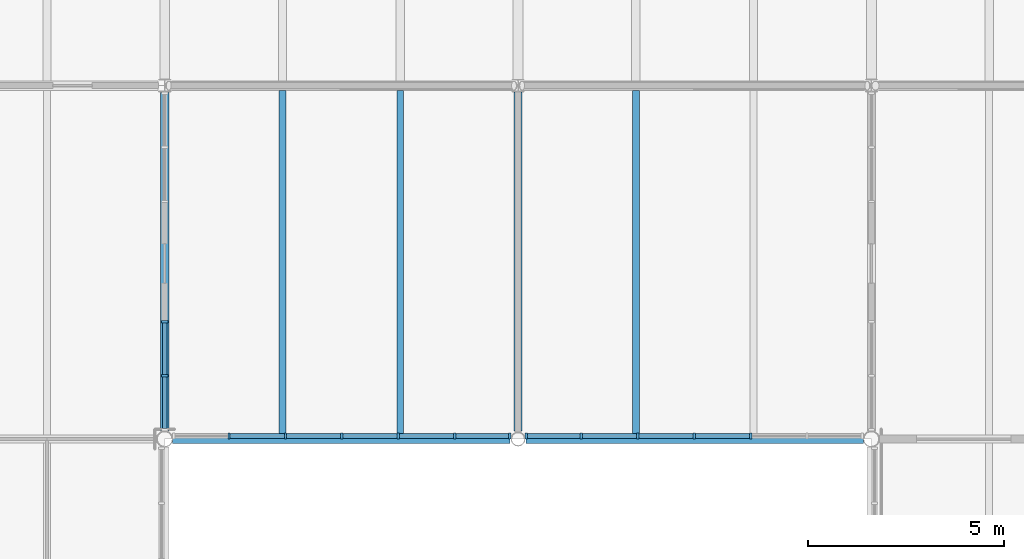
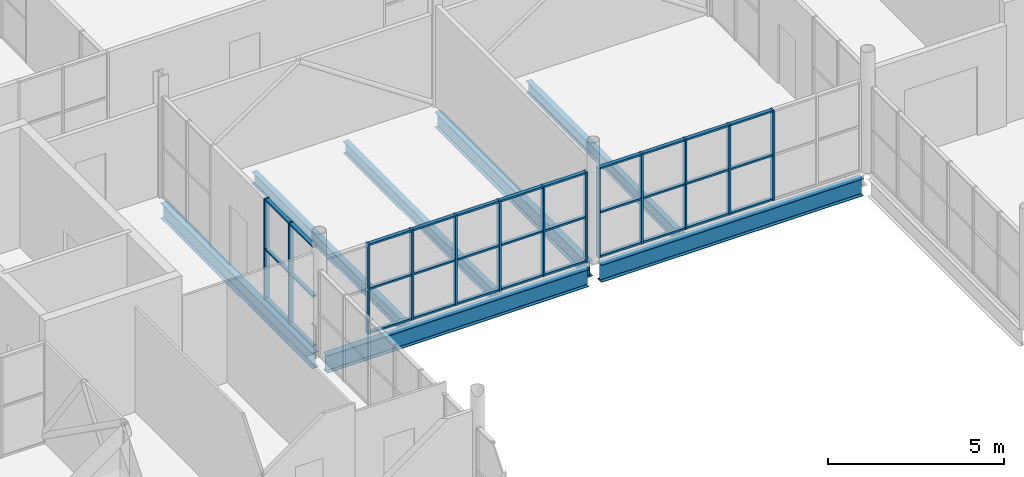
# One storey, part 17 of 57: 46 members, 7 beams, 3 elements without a shape of their own.
"""IFC4 building model written with IfcOpenShell, lengths in metres."""

from ifc_helpers import new_model, si_unit, direction, frame, origin, origin_2d, place, context, subcontext, project, spatial, rectangle, i_section, extrude, material, layer, layer_set, material_profile, profile_set, type_object, element, aggregate, save


model = new_model("IFC4")

# Units and contexts
model_context = context("Model", 3, precision=1e-05, world=origin(), true_north=direction((0.0, 1.0)))
body_context = subcontext(model_context, "Body", "Model", "MODEL_VIEW")
ifc_project = project(units=[si_unit("LENGTHUNIT", "METRE"), si_unit("AREAUNIT", "SQUARE_METRE"), si_unit("VOLUMEUNIT", "CUBIC_METRE"), si_unit("PLANEANGLEUNIT", "RADIAN"), si_unit("MASSUNIT", "GRAM", prefix="KILO")], contexts=[model_context])

# Site, building, storey
site_placement = place(None, origin())
site = spatial("IfcSite", under=ifc_project, at=site_placement, CompositionType="ELEMENT")
building_placement = place(site_placement, origin())
building = spatial("IfcBuilding", under=site, at=building_placement, Name="Halyard Row Museum", CompositionType="ELEMENT")
storey_placement = place(building_placement, frame((0.0, 0.0, 5.0)))
storey = spatial("IfcBuildingStorey", under=building, at=storey_placement, Name="L01", CompositionType="ELEMENT", Elevation=5.0)

# Curtain wall, members
ifc_material_1 = material(Name="Fire-resisting laminated glazing", Category="glass")
ifc_layer = layer(ifc_material_1, 0.159912109375)
ifc_layer_set = layer_set([ifc_layer], Name="Fire-resisting laminated glazing")
curtain_wall_type = type_object("IfcCurtainWallType", Name="Curtain wall atrium screen 160 deep", PredefinedType="NOTDEFINED", material=ifc_layer_set)
curtain_wall_1_placement = place(storey_placement, origin())
curtain_wall_1 = element("IfcCurtainWall", 1, at=curtain_wall_1_placement, inside=storey, type_object=curtain_wall_type, Name="Curtain wall CW080", PredefinedType="NOTDEFINED")
ifc_material_2 = material(Name="Powder-coated aluminium section", Category="aluminium")
ifc_material_profile_1 = material_profile(ifc_material_2, rectangle(XDim=0.159912109375, YDim=0.06005859375, at=origin_2d()), Name="160x60 mullion")
ifc_profile_set_1 = profile_set([ifc_material_profile_1], Name="Powder-coated aluminium section")
member_type_1 = type_object("IfcMemberType", Name="Curtain wall mullion CM5 60 x 160", PredefinedType="MULLION", material=ifc_profile_set_1)
member_1_placement = place(storey_placement, frame((95.923828125, 27.080078125, 0.0), z_axis=(0.0, 0.0, 1.0), x_axis=(0.0, -1.0, 0.0)))
member_1 = element("IfcMember", 2, at=member_1_placement, type_object=member_type_1, Name="CW080 mullion 3", PredefinedType="MULLION", context=body_context, shape_type="SweptSolid", body=[
    extrude(rectangle(XDim=0.159912109375, YDim=0.06005859375, at=origin_2d()), origin(), (0.0, 0.0, 1.0), 3.12451171875),
])
member_2_placement = place(storey_placement, frame((94.4873046875, 27.080078125, 0.0), z_axis=(0.0, 0.0, 1.0), x_axis=(0.0, -1.0, 0.0)))
member_2 = element("IfcMember", 3, at=member_2_placement, type_object=member_type_1, Name="CW080 mullion 4", PredefinedType="MULLION", context=body_context, shape_type="SweptSolid", body=[
    extrude(rectangle(XDim=0.159912109375, YDim=0.06005859375, at=origin_2d()), origin(), (0.0, 0.0, 1.0), 3.12451171875),
])
member_3_placement = place(storey_placement, frame((93.05078125, 27.080078125, 0.0), z_axis=(0.0, 0.0, 1.0), x_axis=(0.0, -1.0, 0.0)))
member_3 = element("IfcMember", 4, at=member_3_placement, type_object=member_type_1, Name="CW080 mullion 5", PredefinedType="MULLION", context=body_context, shape_type="SweptSolid", body=[
    extrude(rectangle(XDim=0.159912109375, YDim=0.06005859375, at=origin_2d()), origin(), (0.0, 0.0, 1.0), 3.12451171875),
])
member_4_placement = place(storey_placement, frame((91.6142578125, 27.080078125, 0.0), z_axis=(0.0, 0.0, 1.0), x_axis=(0.0, -1.0, 0.0)))
member_4 = element("IfcMember", 5, at=member_4_placement, type_object=member_type_1, Name="CW080 mullion 6", PredefinedType="MULLION", context=body_context, shape_type="SweptSolid", body=[
    extrude(rectangle(XDim=0.159912109375, YDim=0.06005859375, at=origin_2d()), origin(), (0.0, 0.0, 1.0), 3.12451171875),
])
member_5_placement = place(storey_placement, frame((90.207763671875, 27.080078125, 0.0), z_axis=(0.0, 0.0, 1.0), x_axis=(0.0, -1.0, 0.0)))
member_5 = element("IfcMember", 6, at=member_5_placement, type_object=member_type_1, Name="CW080 mullion 7", PredefinedType="MULLION", context=body_context, shape_type="SweptSolid", body=[
    extrude(rectangle(XDim=0.159912109375, YDim=0.06005859375, at=origin_2d()), origin(), (0.0, 0.0, 1.0), 3.12451171875),
])

curtain_wall_2_placement = place(storey_placement, origin())
curtain_wall_2 = element("IfcCurtainWall", 7, at=curtain_wall_2_placement, inside=storey, type_object=curtain_wall_type, Name="Curtain wall CW081", PredefinedType="NOTDEFINED")
member_6_placement = place(storey_placement, frame((89.792236328125, 27.080078125, 0.0), z_axis=(0.0, 0.0, 1.0), x_axis=(0.0, -1.0, 0.0)))
member_6 = element("IfcMember", 8, at=member_6_placement, type_object=member_type_1, Name="CW081 mullion 1", PredefinedType="MULLION", context=body_context, shape_type="SweptSolid", body=[
    extrude(rectangle(XDim=0.159912109375, YDim=0.06005859375, at=origin_2d()), origin(), (0.0, 0.0, 1.0), 3.12451171875),
])
member_7_placement = place(storey_placement, frame((88.3857421875, 27.080078125, 0.0), z_axis=(0.0, 0.0, 1.0), x_axis=(0.0, -1.0, 0.0)))
member_7 = element("IfcMember", 9, at=member_7_placement, type_object=member_type_1, Name="CW081 mullion 2", PredefinedType="MULLION", context=body_context, shape_type="SweptSolid", body=[
    extrude(rectangle(XDim=0.159912109375, YDim=0.06005859375, at=origin_2d()), origin(), (0.0, 0.0, 1.0), 3.12451171875),
])
member_8_placement = place(storey_placement, frame((86.94921875, 27.080078125, 0.0), z_axis=(0.0, 0.0, 1.0), x_axis=(0.0, -1.0, 0.0)))
member_8 = element("IfcMember", 10, at=member_8_placement, type_object=member_type_1, Name="CW081 mullion 3", PredefinedType="MULLION", context=body_context, shape_type="SweptSolid", body=[
    extrude(rectangle(XDim=0.159912109375, YDim=0.06005859375, at=origin_2d()), origin(), (0.0, 0.0, 1.0), 3.12451171875),
])
member_9_placement = place(storey_placement, frame((85.5126953125, 27.080078125, 0.0), z_axis=(0.0, 0.0, 1.0), x_axis=(0.0, -1.0, 0.0)))
member_9 = element("IfcMember", 11, at=member_9_placement, type_object=member_type_1, Name="CW081 mullion 4", PredefinedType="MULLION", context=body_context, shape_type="SweptSolid", body=[
    extrude(rectangle(XDim=0.159912109375, YDim=0.06005859375, at=origin_2d()), origin(), (0.0, 0.0, 1.0), 3.12451171875),
])
member_10_placement = place(storey_placement, frame((84.076171875, 27.080078125, 0.0), z_axis=(0.0, 0.0, 1.0), x_axis=(0.0, -1.0, 0.0)))
member_10 = element("IfcMember", 12, at=member_10_placement, type_object=member_type_1, Name="CW081 mullion 5", PredefinedType="MULLION", context=body_context, shape_type="SweptSolid", body=[
    extrude(rectangle(XDim=0.159912109375, YDim=0.06005859375, at=origin_2d()), origin(), (0.0, 0.0, 1.0), 3.12451171875),
])
member_11_placement = place(storey_placement, frame((82.6396484375, 27.080078125, 0.0), z_axis=(0.0, 0.0, 1.0), x_axis=(0.0, -1.0, 0.0)))
member_11 = element("IfcMember", 13, at=member_11_placement, type_object=member_type_1, Name="CW081 mullion 6", PredefinedType="MULLION", context=body_context, shape_type="SweptSolid", body=[
    extrude(rectangle(XDim=0.159912109375, YDim=0.06005859375, at=origin_2d()), origin(), (0.0, 0.0, 1.0), 3.12451171875),
])

curtain_wall_3_placement = place(storey_placement, origin())
curtain_wall_3 = element("IfcCurtainWall", 14, at=curtain_wall_3_placement, inside=storey, type_object=curtain_wall_type, Name="Curtain wall CW144", PredefinedType="NOTDEFINED")
member_12_placement = place(storey_placement, frame((81.0, 28.611572265625, 0.0), z_axis=(0.0, 0.0, 1.0), x_axis=(-1.0, 0.0, 0.0)))
member_12 = element("IfcMember", 15, at=member_12_placement, type_object=member_type_1, Name="CW144 mullion 2", PredefinedType="MULLION", context=body_context, shape_type="SweptSolid", body=[
    extrude(rectangle(XDim=0.159912109375, YDim=0.06005859375, at=origin_2d()), origin(), (0.0, 0.0, 1.0), 3.501953125),
])
member_13_placement = place(storey_placement, frame((81.0, 29.98974609375, 0.0), z_axis=(0.0, 0.0, 1.0), x_axis=(-1.0, 0.0, 0.0)))
member_13 = element("IfcMember", 16, at=member_13_placement, type_object=member_type_1, Name="CW144 mullion 3", PredefinedType="MULLION", context=body_context, shape_type="SweptSolid", body=[
    extrude(rectangle(XDim=0.159912109375, YDim=0.06005859375, at=origin_2d()), origin(), (0.0, 0.0, 1.0), 3.501953125),
])

# Member
ifc_material_3 = material(Name="Powder-coated aluminium section", Category="aluminium")
ifc_material_profile_2 = material_profile(ifc_material_3, rectangle(XDim=0.1201171875, YDim=0.06005859375, at=origin_2d()), Name="120x60 transom")
ifc_profile_set_2 = profile_set([ifc_material_profile_2], Name="Powder-coated aluminium section")
member_type_2 = type_object("IfcMemberType", Name="Curtain wall transom CT5 60 x 120", PredefinedType="USERDEFINED", material=ifc_profile_set_2)
member_14_placement = place(storey_placement, frame((95.893798828125, 27.080078125, 0.030029296875), z_axis=(-1.0, 0.0, 0.0), x_axis=(0.0, -1.0, 0.0)))
member_14 = element("IfcMember", 17, at=member_14_placement, type_object=member_type_2, Name="CW080 transom 3.1", ObjectType="TRANSOM", PredefinedType="USERDEFINED", context=body_context, shape_type="SweptSolid", body=[
    extrude(rectangle(XDim=0.1201171875, YDim=0.06005859375, at=origin_2d()), origin(), (0.0, 0.0, 1.0), 1.37646484375),
])

member_15_placement = place(storey_placement, frame((95.893798828125, 27.080078125, 1.562255859375), z_axis=(-1.0, 0.0, 0.0), x_axis=(0.0, -1.0, 0.0)))
member_15 = element("IfcMember", 18, at=member_15_placement, type_object=member_type_2, Name="CW080 transom 3.2", ObjectType="TRANSOM", PredefinedType="USERDEFINED", context=body_context, shape_type="SweptSolid", body=[
    extrude(rectangle(XDim=0.1201171875, YDim=0.06005859375, at=origin_2d()), origin(), (0.0, 0.0, 1.0), 1.37646484375),
])

member_16_placement = place(storey_placement, frame((95.893798828125, 27.080078125, 3.094482421875), z_axis=(-1.0, 0.0, 0.0), x_axis=(0.0, -1.0, 0.0)))
member_16 = element("IfcMember", 19, at=member_16_placement, type_object=member_type_2, Name="CW080 transom 3.3", ObjectType="TRANSOM", PredefinedType="USERDEFINED", context=body_context, shape_type="SweptSolid", body=[
    extrude(rectangle(XDim=0.1201171875, YDim=0.06005859375, at=origin_2d()), origin(), (0.0, 0.0, 1.0), 1.37646484375),
])

member_17_placement = place(storey_placement, frame((94.457275390625, 27.080078125, 0.030029296875), z_axis=(-1.0, 0.0, 0.0), x_axis=(0.0, -1.0, 0.0)))
member_17 = element("IfcMember", 20, at=member_17_placement, type_object=member_type_2, Name="CW080 transom 4.1", ObjectType="TRANSOM", PredefinedType="USERDEFINED", context=body_context, shape_type="SweptSolid", body=[
    extrude(rectangle(XDim=0.1201171875, YDim=0.06005859375, at=origin_2d()), origin(), (0.0, 0.0, 1.0), 1.37646484375),
])

member_18_placement = place(storey_placement, frame((94.457275390625, 27.080078125, 1.562255859375), z_axis=(-1.0, 0.0, 0.0), x_axis=(0.0, -1.0, 0.0)))
member_18 = element("IfcMember", 21, at=member_18_placement, type_object=member_type_2, Name="CW080 transom 4.2", ObjectType="TRANSOM", PredefinedType="USERDEFINED", context=body_context, shape_type="SweptSolid", body=[
    extrude(rectangle(XDim=0.1201171875, YDim=0.06005859375, at=origin_2d()), origin(), (0.0, 0.0, 1.0), 1.37646484375),
])

member_19_placement = place(storey_placement, frame((94.457275390625, 27.080078125, 3.094482421875), z_axis=(-1.0, 0.0, 0.0), x_axis=(0.0, -1.0, 0.0)))
member_19 = element("IfcMember", 22, at=member_19_placement, type_object=member_type_2, Name="CW080 transom 4.3", ObjectType="TRANSOM", PredefinedType="USERDEFINED", context=body_context, shape_type="SweptSolid", body=[
    extrude(rectangle(XDim=0.1201171875, YDim=0.06005859375, at=origin_2d()), origin(), (0.0, 0.0, 1.0), 1.37646484375),
])

member_20_placement = place(storey_placement, frame((93.020751953125, 27.080078125, 0.030029296875), z_axis=(-1.0, 0.0, 0.0), x_axis=(0.0, -1.0, 0.0)))
member_20 = element("IfcMember", 23, at=member_20_placement, type_object=member_type_2, Name="CW080 transom 5.1", ObjectType="TRANSOM", PredefinedType="USERDEFINED", context=body_context, shape_type="SweptSolid", body=[
    extrude(rectangle(XDim=0.1201171875, YDim=0.06005859375, at=origin_2d()), origin(), (0.0, 0.0, 1.0), 1.37646484375),
])

member_21_placement = place(storey_placement, frame((93.020751953125, 27.080078125, 1.562255859375), z_axis=(-1.0, 0.0, 0.0), x_axis=(0.0, -1.0, 0.0)))
member_21 = element("IfcMember", 24, at=member_21_placement, type_object=member_type_2, Name="CW080 transom 5.2", ObjectType="TRANSOM", PredefinedType="USERDEFINED", context=body_context, shape_type="SweptSolid", body=[
    extrude(rectangle(XDim=0.1201171875, YDim=0.06005859375, at=origin_2d()), origin(), (0.0, 0.0, 1.0), 1.37646484375),
])

member_22_placement = place(storey_placement, frame((93.020751953125, 27.080078125, 3.094482421875), z_axis=(-1.0, 0.0, 0.0), x_axis=(0.0, -1.0, 0.0)))
member_22 = element("IfcMember", 25, at=member_22_placement, type_object=member_type_2, Name="CW080 transom 5.3", ObjectType="TRANSOM", PredefinedType="USERDEFINED", context=body_context, shape_type="SweptSolid", body=[
    extrude(rectangle(XDim=0.1201171875, YDim=0.06005859375, at=origin_2d()), origin(), (0.0, 0.0, 1.0), 1.37646484375),
])

member_23_placement = place(storey_placement, frame((91.584228515625, 27.080078125, 0.030029296875), z_axis=(-1.0, 0.0, 0.0), x_axis=(0.0, -1.0, 0.0)))
member_23 = element("IfcMember", 26, at=member_23_placement, type_object=member_type_2, Name="CW080 transom 6.1", ObjectType="TRANSOM", PredefinedType="USERDEFINED", context=body_context, shape_type="SweptSolid", body=[
    extrude(rectangle(XDim=0.1201171875, YDim=0.06005859375, at=origin_2d()), origin(), (0.0, 0.0, 1.0), 1.346435546875),
])

member_24_placement = place(storey_placement, frame((91.584228515625, 27.080078125, 1.562255859375), z_axis=(-1.0, 0.0, 0.0), x_axis=(0.0, -1.0, 0.0)))
member_24 = element("IfcMember", 27, at=member_24_placement, type_object=member_type_2, Name="CW080 transom 6.2", ObjectType="TRANSOM", PredefinedType="USERDEFINED", context=body_context, shape_type="SweptSolid", body=[
    extrude(rectangle(XDim=0.1201171875, YDim=0.06005859375, at=origin_2d()), origin(), (0.0, 0.0, 1.0), 1.346435546875),
])

member_25_placement = place(storey_placement, frame((91.584228515625, 27.080078125, 3.094482421875), z_axis=(-1.0, 0.0, 0.0), x_axis=(0.0, -1.0, 0.0)))
member_25 = element("IfcMember", 28, at=member_25_placement, type_object=member_type_2, Name="CW080 transom 6.3", ObjectType="TRANSOM", PredefinedType="USERDEFINED", context=body_context, shape_type="SweptSolid", body=[
    extrude(rectangle(XDim=0.1201171875, YDim=0.06005859375, at=origin_2d()), origin(), (0.0, 0.0, 1.0), 1.346435546875),
])

aggregate(curtain_wall_1, [member_1, member_2, member_3, member_4, member_5, member_14, member_15, member_16, member_17, member_18, member_19, member_20, member_21, member_22, member_23, member_24, member_25])

member_26_placement = place(storey_placement, frame((89.76220703125, 27.080078125, 0.030029296875), z_axis=(-1.0, 0.0, 0.0), x_axis=(0.0, -1.0, 0.0)))
member_26 = element("IfcMember", 29, at=member_26_placement, type_object=member_type_2, Name="CW081 transom 1.1", ObjectType="TRANSOM", PredefinedType="USERDEFINED", context=body_context, shape_type="SweptSolid", body=[
    extrude(rectangle(XDim=0.1201171875, YDim=0.06005859375, at=origin_2d()), origin(), (0.0, 0.0, 1.0), 1.346435546875),
])

member_27_placement = place(storey_placement, frame((89.76220703125, 27.080078125, 1.562255859375), z_axis=(-1.0, 0.0, 0.0), x_axis=(0.0, -1.0, 0.0)))
member_27 = element("IfcMember", 30, at=member_27_placement, type_object=member_type_2, Name="CW081 transom 1.2", ObjectType="TRANSOM", PredefinedType="USERDEFINED", context=body_context, shape_type="SweptSolid", body=[
    extrude(rectangle(XDim=0.1201171875, YDim=0.06005859375, at=origin_2d()), origin(), (0.0, 0.0, 1.0), 1.346435546875),
])

member_28_placement = place(storey_placement, frame((89.76220703125, 27.080078125, 3.094482421875), z_axis=(-1.0, 0.0, 0.0), x_axis=(0.0, -1.0, 0.0)))
member_28 = element("IfcMember", 31, at=member_28_placement, type_object=member_type_2, Name="CW081 transom 1.3", ObjectType="TRANSOM", PredefinedType="USERDEFINED", context=body_context, shape_type="SweptSolid", body=[
    extrude(rectangle(XDim=0.1201171875, YDim=0.06005859375, at=origin_2d()), origin(), (0.0, 0.0, 1.0), 1.346435546875),
])

member_29_placement = place(storey_placement, frame((88.355712890625, 27.080078125, 0.030029296875), z_axis=(-1.0, 0.0, 0.0), x_axis=(0.0, -1.0, 0.0)))
member_29 = element("IfcMember", 32, at=member_29_placement, type_object=member_type_2, Name="CW081 transom 2.1", ObjectType="TRANSOM", PredefinedType="USERDEFINED", context=body_context, shape_type="SweptSolid", body=[
    extrude(rectangle(XDim=0.1201171875, YDim=0.06005859375, at=origin_2d()), origin(), (0.0, 0.0, 1.0), 1.37646484375),
])

member_30_placement = place(storey_placement, frame((88.355712890625, 27.080078125, 1.562255859375), z_axis=(-1.0, 0.0, 0.0), x_axis=(0.0, -1.0, 0.0)))
member_30 = element("IfcMember", 33, at=member_30_placement, type_object=member_type_2, Name="CW081 transom 2.2", ObjectType="TRANSOM", PredefinedType="USERDEFINED", context=body_context, shape_type="SweptSolid", body=[
    extrude(rectangle(XDim=0.1201171875, YDim=0.06005859375, at=origin_2d()), origin(), (0.0, 0.0, 1.0), 1.37646484375),
])

member_31_placement = place(storey_placement, frame((88.355712890625, 27.080078125, 3.094482421875), z_axis=(-1.0, 0.0, 0.0), x_axis=(0.0, -1.0, 0.0)))
member_31 = element("IfcMember", 34, at=member_31_placement, type_object=member_type_2, Name="CW081 transom 2.3", ObjectType="TRANSOM", PredefinedType="USERDEFINED", context=body_context, shape_type="SweptSolid", body=[
    extrude(rectangle(XDim=0.1201171875, YDim=0.06005859375, at=origin_2d()), origin(), (0.0, 0.0, 1.0), 1.37646484375),
])

member_32_placement = place(storey_placement, frame((86.919189453125, 27.080078125, 0.030029296875), z_axis=(-1.0, 0.0, 0.0), x_axis=(0.0, -1.0, 0.0)))
member_32 = element("IfcMember", 35, at=member_32_placement, type_object=member_type_2, Name="CW081 transom 3.1", ObjectType="TRANSOM", PredefinedType="USERDEFINED", context=body_context, shape_type="SweptSolid", body=[
    extrude(rectangle(XDim=0.1201171875, YDim=0.06005859375, at=origin_2d()), origin(), (0.0, 0.0, 1.0), 1.37646484375),
])

member_33_placement = place(storey_placement, frame((86.919189453125, 27.080078125, 1.562255859375), z_axis=(-1.0, 0.0, 0.0), x_axis=(0.0, -1.0, 0.0)))
member_33 = element("IfcMember", 36, at=member_33_placement, type_object=member_type_2, Name="CW081 transom 3.2", ObjectType="TRANSOM", PredefinedType="USERDEFINED", context=body_context, shape_type="SweptSolid", body=[
    extrude(rectangle(XDim=0.1201171875, YDim=0.06005859375, at=origin_2d()), origin(), (0.0, 0.0, 1.0), 1.37646484375),
])

member_34_placement = place(storey_placement, frame((86.919189453125, 27.080078125, 3.094482421875), z_axis=(-1.0, 0.0, 0.0), x_axis=(0.0, -1.0, 0.0)))
member_34 = element("IfcMember", 37, at=member_34_placement, type_object=member_type_2, Name="CW081 transom 3.3", ObjectType="TRANSOM", PredefinedType="USERDEFINED", context=body_context, shape_type="SweptSolid", body=[
    extrude(rectangle(XDim=0.1201171875, YDim=0.06005859375, at=origin_2d()), origin(), (0.0, 0.0, 1.0), 1.37646484375),
])

member_35_placement = place(storey_placement, frame((85.482666015625, 27.080078125, 0.030029296875), z_axis=(-1.0, 0.0, 0.0), x_axis=(0.0, -1.0, 0.0)))
member_35 = element("IfcMember", 38, at=member_35_placement, type_object=member_type_2, Name="CW081 transom 4.1", ObjectType="TRANSOM", PredefinedType="USERDEFINED", context=body_context, shape_type="SweptSolid", body=[
    extrude(rectangle(XDim=0.1201171875, YDim=0.06005859375, at=origin_2d()), origin(), (0.0, 0.0, 1.0), 1.37646484375),
])

member_36_placement = place(storey_placement, frame((85.482666015625, 27.080078125, 1.562255859375), z_axis=(-1.0, 0.0, 0.0), x_axis=(0.0, -1.0, 0.0)))
member_36 = element("IfcMember", 39, at=member_36_placement, type_object=member_type_2, Name="CW081 transom 4.2", ObjectType="TRANSOM", PredefinedType="USERDEFINED", context=body_context, shape_type="SweptSolid", body=[
    extrude(rectangle(XDim=0.1201171875, YDim=0.06005859375, at=origin_2d()), origin(), (0.0, 0.0, 1.0), 1.37646484375),
])

member_37_placement = place(storey_placement, frame((85.482666015625, 27.080078125, 3.094482421875), z_axis=(-1.0, 0.0, 0.0), x_axis=(0.0, -1.0, 0.0)))
member_37 = element("IfcMember", 40, at=member_37_placement, type_object=member_type_2, Name="CW081 transom 4.3", ObjectType="TRANSOM", PredefinedType="USERDEFINED", context=body_context, shape_type="SweptSolid", body=[
    extrude(rectangle(XDim=0.1201171875, YDim=0.06005859375, at=origin_2d()), origin(), (0.0, 0.0, 1.0), 1.37646484375),
])

member_38_placement = place(storey_placement, frame((84.046142578125, 27.080078125, 0.030029296875), z_axis=(-1.0, 0.0, 0.0), x_axis=(0.0, -1.0, 0.0)))
member_38 = element("IfcMember", 41, at=member_38_placement, type_object=member_type_2, Name="CW081 transom 5.1", ObjectType="TRANSOM", PredefinedType="USERDEFINED", context=body_context, shape_type="SweptSolid", body=[
    extrude(rectangle(XDim=0.1201171875, YDim=0.06005859375, at=origin_2d()), origin(), (0.0, 0.0, 1.0), 1.37646484375),
])

member_39_placement = place(storey_placement, frame((84.046142578125, 27.080078125, 1.562255859375), z_axis=(-1.0, 0.0, 0.0), x_axis=(0.0, -1.0, 0.0)))
member_39 = element("IfcMember", 42, at=member_39_placement, type_object=member_type_2, Name="CW081 transom 5.2", ObjectType="TRANSOM", PredefinedType="USERDEFINED", context=body_context, shape_type="SweptSolid", body=[
    extrude(rectangle(XDim=0.1201171875, YDim=0.06005859375, at=origin_2d()), origin(), (0.0, 0.0, 1.0), 1.37646484375),
])

member_40_placement = place(storey_placement, frame((84.046142578125, 27.080078125, 3.094482421875), z_axis=(-1.0, 0.0, 0.0), x_axis=(0.0, -1.0, 0.0)))
member_40 = element("IfcMember", 43, at=member_40_placement, type_object=member_type_2, Name="CW081 transom 5.3", ObjectType="TRANSOM", PredefinedType="USERDEFINED", context=body_context, shape_type="SweptSolid", body=[
    extrude(rectangle(XDim=0.1201171875, YDim=0.06005859375, at=origin_2d()), origin(), (0.0, 0.0, 1.0), 1.37646484375),
])

aggregate(curtain_wall_2, [member_6, member_7, member_8, member_9, member_10, member_11, member_26, member_27, member_28, member_29, member_30, member_31, member_32, member_33, member_34, member_35, member_36, member_37, member_38, member_39, member_40])

member_41_placement = place(storey_placement, frame((81.0, 27.26318359375, 0.030029296875), z_axis=(0.0, 1.0, 0.0), x_axis=(-1.0, 0.0, 0.0)))
member_41 = element("IfcMember", 44, at=member_41_placement, type_object=member_type_2, Name="CW144 transom 1.1", ObjectType="TRANSOM", PredefinedType="USERDEFINED", context=body_context, shape_type="SweptSolid", body=[
    extrude(rectangle(XDim=0.1201171875, YDim=0.06005859375, at=origin_2d()), origin(), (0.0, 0.0, 1.0), 1.318359375),
])

member_42_placement = place(storey_placement, frame((81.0, 27.26318359375, 1.7509765625), z_axis=(0.0, 1.0, 0.0), x_axis=(-1.0, 0.0, 0.0)))
member_42 = element("IfcMember", 45, at=member_42_placement, type_object=member_type_2, Name="CW144 transom 1.2", ObjectType="TRANSOM", PredefinedType="USERDEFINED", context=body_context, shape_type="SweptSolid", body=[
    extrude(rectangle(XDim=0.1201171875, YDim=0.06005859375, at=origin_2d()), origin(), (0.0, 0.0, 1.0), 1.318359375),
])

member_43_placement = place(storey_placement, frame((81.0, 27.26318359375, 3.471923828125), z_axis=(0.0, 1.0, 0.0), x_axis=(-1.0, 0.0, 0.0)))
member_43 = element("IfcMember", 46, at=member_43_placement, type_object=member_type_2, Name="CW144 transom 1.3", ObjectType="TRANSOM", PredefinedType="USERDEFINED", context=body_context, shape_type="SweptSolid", body=[
    extrude(rectangle(XDim=0.1201171875, YDim=0.06005859375, at=origin_2d()), origin(), (0.0, 0.0, 1.0), 1.318359375),
])

member_44_placement = place(storey_placement, frame((81.0, 28.6416015625, 0.030029296875), z_axis=(0.0, 1.0, 0.0), x_axis=(-1.0, 0.0, 0.0)))
member_44 = element("IfcMember", 47, at=member_44_placement, type_object=member_type_2, Name="CW144 transom 2.1", ObjectType="TRANSOM", PredefinedType="USERDEFINED", context=body_context, shape_type="SweptSolid", body=[
    extrude(rectangle(XDim=0.1201171875, YDim=0.06005859375, at=origin_2d()), origin(), (0.0, 0.0, 1.0), 1.318115234375),
])

member_45_placement = place(storey_placement, frame((81.0, 28.6416015625, 1.7509765625), z_axis=(0.0, 1.0, 0.0), x_axis=(-1.0, 0.0, 0.0)))
member_45 = element("IfcMember", 48, at=member_45_placement, type_object=member_type_2, Name="CW144 transom 2.2", ObjectType="TRANSOM", PredefinedType="USERDEFINED", context=body_context, shape_type="SweptSolid", body=[
    extrude(rectangle(XDim=0.1201171875, YDim=0.06005859375, at=origin_2d()), origin(), (0.0, 0.0, 1.0), 1.318115234375),
])

member_46_placement = place(storey_placement, frame((81.0, 28.6416015625, 3.471923828125), z_axis=(0.0, 1.0, 0.0), x_axis=(-1.0, 0.0, 0.0)))
member_46 = element("IfcMember", 49, at=member_46_placement, type_object=member_type_2, Name="CW144 transom 2.3", ObjectType="TRANSOM", PredefinedType="USERDEFINED", context=body_context, shape_type="SweptSolid", body=[
    extrude(rectangle(XDim=0.1201171875, YDim=0.06005859375, at=origin_2d()), origin(), (0.0, 0.0, 1.0), 1.318115234375),
])

aggregate(curtain_wall_3, [member_12, member_13, member_41, member_42, member_43, member_44, member_45, member_46])

# Beams
ifc_material_4 = material(Name="Steel Grade 300", Category="steel")
ifc_material_profile_3 = material_profile(ifc_material_4, i_section(OverallWidth=0.208984375, OverallDepth=0.532958984375, WebThickness=0.01025390625, FlangeThickness=0.015625, FilletRadius=0.013916015625, at=origin_2d()), Name="530UB92.4")
ifc_profile_set_3 = profile_set([ifc_material_profile_3], Name="Steel Grade 300")
beam_type_1 = type_object("IfcBeamType", Name="Girder beam 530UB92.4", PredefinedType="BEAM", material=ifc_profile_set_3)
beam_1_placement = place(storey_placement, frame((81.0, 27.203125, -0.431396484375), z_axis=(0.0, 1.0, 0.0), x_axis=(-1.0, 0.0, 0.0)))
element("IfcBeam", 50, at=beam_1_placement, inside=storey, type_object=beam_type_1, Name="Beam L01-068", PredefinedType="BEAM", context=body_context, shape_type="SweptSolid", body=[
    extrude(i_section(OverallWidth=0.208984375, OverallDepth=0.532958984375, WebThickness=0.01025390625, FlangeThickness=0.015625, FilletRadius=0.013916015625, at=origin_2d()), origin(), (0.0, 0.0, 1.0), 8.62744140625),
])
beam_2_placement = place(storey_placement, frame((90.0, 27.203125, -0.431396484375), z_axis=(0.0, 1.0, 0.0), x_axis=(-1.0, 0.0, 0.0)))
element("IfcBeam", 51, at=beam_2_placement, inside=storey, type_object=beam_type_1, Name="Beam L01-071", PredefinedType="BEAM", context=body_context, shape_type="SweptSolid", body=[
    extrude(i_section(OverallWidth=0.208984375, OverallDepth=0.532958984375, WebThickness=0.01025390625, FlangeThickness=0.015625, FilletRadius=0.013916015625, at=origin_2d()), origin(), (0.0, 0.0, 1.0), 8.63330078125),
])
ifc_material_5 = material(Name="Steel Grade 300", Category="steel")
ifc_material_profile_4 = material_profile(ifc_material_5, i_section(OverallWidth=0.177978515625, OverallDepth=0.406494140625, WebThickness=0.0078125, FlangeThickness=0.0126953125, FilletRadius=0.011474609375, at=origin_2d()), Name="410UB59.7")
ifc_profile_set_4 = profile_set([ifc_material_profile_4], Name="Steel Grade 300")
beam_type_2 = type_object("IfcBeamType", Name="Secondary beam 410UB59.7", PredefinedType="BEAM", material=ifc_profile_set_4)
for number, where, z_axis, x_axis, name in (
    (52, (84.0, 27.114013671875, -0.3681640625), (0.0, 1.0, 0.0), (-1.0, 0.0, 0.0), "Beam L01-121"),
    (53, (87.0, 27.114013671875, -0.3681640625), (0.0, 1.0, 0.0), (-1.0, 0.0, 0.0), "Beam L01-122"),
    (54, (93.0, 27.114013671875, -0.3681640625), (0.0, 1.0, 0.0), (-1.0, 0.0, 0.0), "Beam L01-123"),
):
    element("IfcBeam", number, at=place(storey_placement, frame(where, z_axis=z_axis, x_axis=x_axis)), inside=storey, type_object=beam_type_2, Name=name, PredefinedType="BEAM", context=body_context, shape_type="SweptSolid", body=[
        extrude(i_section(OverallWidth=0.177978515625, OverallDepth=0.406494140625, WebThickness=0.0078125, FlangeThickness=0.0126953125, FilletRadius=0.011474609375, at=origin_2d()), origin(), (0.0, 0.0, 1.0), 8.760986328125),
    ])
ifc_material_6 = material(Name="Steel Grade 300", Category="steel")
ifc_material_profile_5 = material_profile(ifc_material_6, i_section(OverallWidth=0.22802734375, OverallDepth=0.60693359375, WebThickness=0.01123046875, FlangeThickness=0.017333984375, FilletRadius=0.013916015625, at=origin_2d()), Name="610UB113")
ifc_profile_set_5 = profile_set([ifc_material_profile_5], Name="Steel Grade 300")
beam_type_3 = type_object("IfcBeamType", Name="Void edge beam 610UB113", PredefinedType="BEAM", material=ifc_profile_set_5)
for number, where, z_axis, x_axis, name in (
    (55, (81.203125, 27.0, -0.468505859375), (1.0, 0.0, 0.0), (0.0, 1.0, 0.0), "Beam L01-023"),
    (56, (90.203125, 27.0, -0.468505859375), (1.0, 0.0, 0.0), (0.0, 1.0, 0.0), "Beam L01-024"),
):
    element("IfcBeam", number, at=place(storey_placement, frame(where, z_axis=z_axis, x_axis=x_axis)), inside=storey, type_object=beam_type_3, Name=name, PredefinedType="BEAM", context=body_context, shape_type="SweptSolid", body=[
        extrude(i_section(OverallWidth=0.22802734375, OverallDepth=0.60693359375, WebThickness=0.01123046875, FlangeThickness=0.017333984375, FilletRadius=0.013916015625, at=origin_2d()), origin(), (0.0, 0.0, 1.0), 8.59375),
    ])

save(model, "model.ifc")
